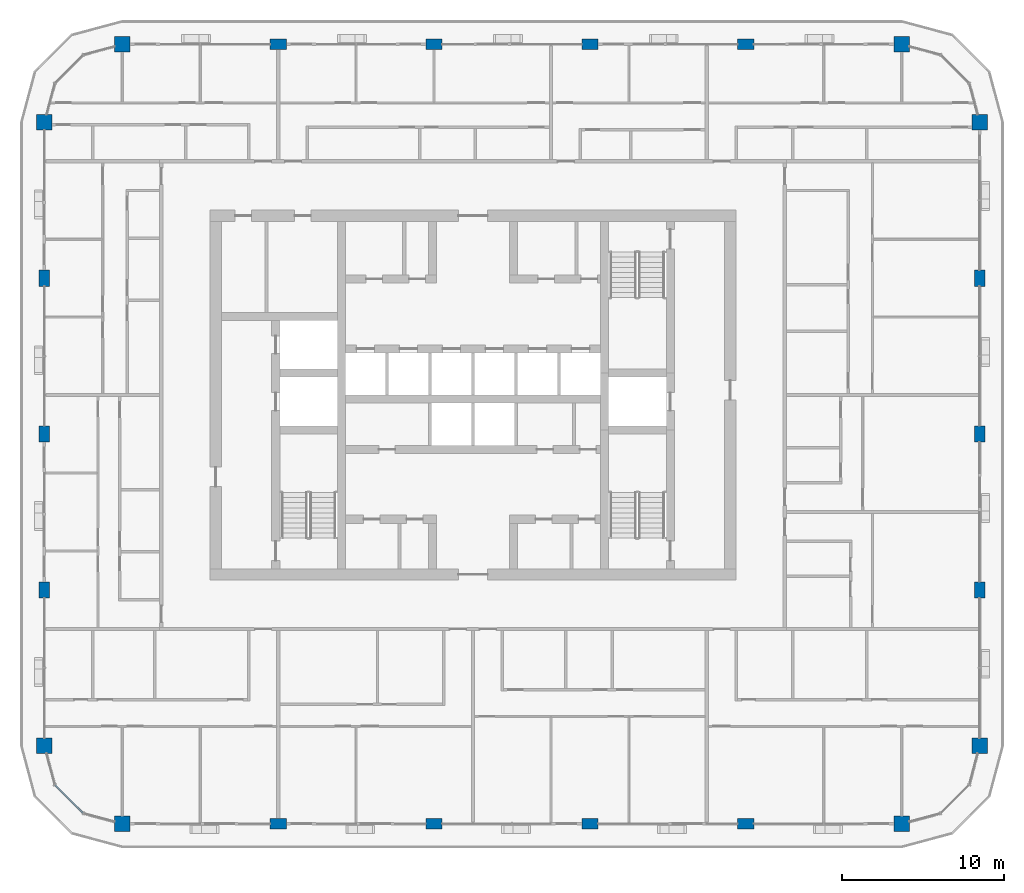
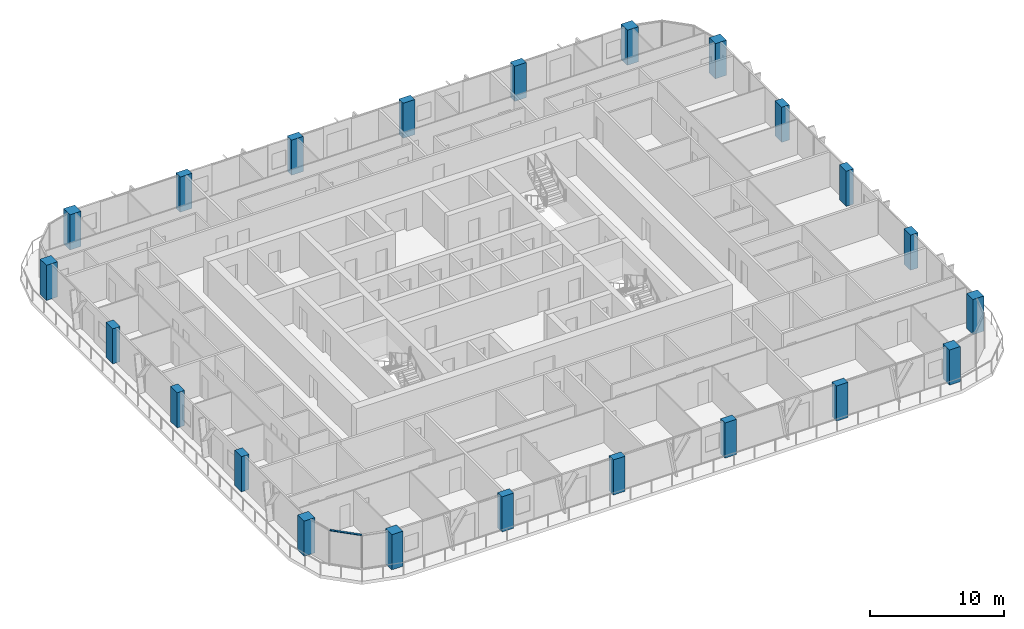
# One storey, part 1 of 22: 22 columns, 1 member, 1 element without a shape of its own.
"""IFC4 building model written with IfcOpenShell, lengths in metres."""

from ifc_helpers import new_model, si_unit, direction, frame, origin, origin_2d, place, context, subcontext, project, spatial, rectangle, extrude, material, layer, layer_set, material_profile, profile_set, type_object, element, aggregate, save


model = new_model("IFC4")

# Units and contexts
model_context = context("Model", 3, precision=1e-05, world=origin(), true_north=direction((0.0, 1.0)))
body_context = subcontext(model_context, "Body", "Model", "MODEL_VIEW")
ifc_project = project(units=[si_unit("LENGTHUNIT", "METRE"), si_unit("AREAUNIT", "SQUARE_METRE"), si_unit("VOLUMEUNIT", "CUBIC_METRE"), si_unit("PLANEANGLEUNIT", "RADIAN"), si_unit("MASSUNIT", "GRAM", prefix="KILO")], contexts=[model_context])

# Site, building, storey
site_placement = place(None, origin())
site = spatial("IfcSite", under=ifc_project, at=site_placement, CompositionType="ELEMENT")
building_placement = place(site_placement, origin())
building = spatial("IfcBuilding", under=site, at=building_placement, Name="Madar Terraces", CompositionType="ELEMENT")
storey_placement = place(building_placement, frame((0.0, 0.0, 192.89990234375)))
storey = spatial("IfcBuildingStorey", under=building, at=storey_placement, Name="L50", CompositionType="ELEMENT", Elevation=192.89990234375)

# Columns
ifc_material_1 = material(Name="Concrete C60/75", Category="concrete")
ifc_material_profile_1 = material_profile(ifc_material_1, rectangle(XDim=1.0, YDim=0.64990234375, at=origin_2d()), Name="CC4 RC 1000x650")
ifc_profile_set_1 = profile_set([ifc_material_profile_1], Name="Concrete C60/75")
column_type_1 = type_object("IfcColumnType", Name="CC4 RC 1000x650", PredefinedType="COLUMN", material=ifc_profile_set_1)
for number, where, z_axis, x_axis, name in (
    (1, (19.199951171875, 0.0, 0.0), (0.0, 0.0, 1.0), (1.0, 0.0, 0.0), "Perimeter column S2"),
    (2, (28.800048828125, 0.0, 0.0), (0.0, 0.0, 1.0), (1.0, 0.0, 0.0), "Perimeter column S3"),
    (3, (38.39990234375, 0.0, 0.0), (0.0, 0.0, 1.0), (1.0, 0.0, 0.0), "Perimeter column S4"),
    (4, (48.0, 0.0, 0.0), (0.0, 0.0, 1.0), (1.0, 0.0, 0.0), "Perimeter column S5"),
    (5, (62.39990234375, 14.39990234375, 0.0), (0.0, 0.0, 1.0), (0.0, 1.0, 0.0), "Perimeter column E2"),
    (6, (62.39990234375, 24.0, 0.0), (0.0, 0.0, 1.0), (0.0, 1.0, 0.0), "Perimeter column E3"),
    (7, (62.39990234375, 33.60009765625, 0.0), (0.0, 0.0, 1.0), (0.0, 1.0, 0.0), "Perimeter column E4"),
    (8, (48.0, 48.0, 0.0), (0.0, 0.0, 1.0), (1.0, 0.0, 0.0), "Perimeter column N2"),
    (9, (38.39990234375, 48.0, 0.0), (0.0, 0.0, 1.0), (1.0, 0.0, 0.0), "Perimeter column N3"),
    (10, (28.800048828125, 48.0, 0.0), (0.0, 0.0, 1.0), (1.0, 0.0, 0.0), "Perimeter column N4"),
    (11, (19.199951171875, 48.0, 0.0), (0.0, 0.0, 1.0), (1.0, 0.0, 0.0), "Perimeter column N5"),
    (12, (4.800048828125, 33.60009765625, 0.0), (0.0, 0.0, 1.0), (0.0, 1.0, 0.0), "Perimeter column W2"),
    (13, (4.800048828125, 24.0, 0.0), (0.0, 0.0, 1.0), (0.0, 1.0, 0.0), "Perimeter column W3"),
    (14, (4.800048828125, 14.39990234375, 0.0), (0.0, 0.0, 1.0), (0.0, 1.0, 0.0), "Perimeter column W4"),
):
    element("IfcColumn", number, at=place(storey_placement, frame(where, z_axis=z_axis, x_axis=x_axis)), inside=storey, type_object=column_type_1, Name=name, PredefinedType="COLUMN", context=body_context, shape_type="SweptSolid", body=[
        extrude(rectangle(XDim=1.0, YDim=0.64990234375, at=origin_2d()), origin(), (0.0, 0.0, 1.0), 3.2001953125),
    ])
ifc_material_2 = material(Name="Concrete C60/75", Category="concrete")
ifc_material_profile_2 = material_profile(ifc_material_2, rectangle(XDim=0.949951171875, YDim=0.949951171875, at=origin_2d()), Name="KC4 RC 950x950")
ifc_profile_set_2 = profile_set([ifc_material_profile_2], Name="Concrete C60/75")
column_type_2 = type_object("IfcColumnType", Name="KC4 RC 950x950", PredefinedType="COLUMN", material=ifc_profile_set_2)
for number, where, z_axis, x_axis, name in (
    (15, (9.60009765625, 0.0, 0.0), (0.0, 0.0, 1.0), (1.0, 0.0, 0.0), "Perimeter column S1"),
    (16, (57.60009765625, 0.0, 0.0), (0.0, 0.0, 1.0), (1.0, 0.0, 0.0), "Perimeter column S6"),
    (17, (62.39990234375, 4.800048828125, 0.0), (0.0, 0.0, 1.0), (1.0, 0.0, 0.0), "Perimeter column E1"),
    (18, (62.39990234375, 43.199951171875, 0.0), (0.0, 0.0, 1.0), (1.0, 0.0, 0.0), "Perimeter column E5"),
    (19, (57.60009765625, 48.0, 0.0), (0.0, 0.0, 1.0), (1.0, 0.0, 0.0), "Perimeter column N1"),
    (20, (9.60009765625, 48.0, 0.0), (0.0, 0.0, 1.0), (1.0, 0.0, 0.0), "Perimeter column N6"),
    (21, (4.800048828125, 43.199951171875, 0.0), (0.0, 0.0, 1.0), (1.0, 0.0, 0.0), "Perimeter column W1"),
    (22, (4.800048828125, 4.800048828125, 0.0), (0.0, 0.0, 1.0), (1.0, 0.0, 0.0), "Perimeter column W5"),
):
    element("IfcColumn", number, at=place(storey_placement, frame(where, z_axis=z_axis, x_axis=x_axis)), inside=storey, type_object=column_type_2, Name=name, PredefinedType="COLUMN", context=body_context, shape_type="SweptSolid", body=[
        extrude(rectangle(XDim=0.949951171875, YDim=0.949951171875, at=origin_2d()), origin(), (0.0, 0.0, 1.0), 3.2001953125),
    ])

# Curtain wall, member
ifc_material_3 = material(Name="Glass, ceramic frit dark grey, with black aluminium frame", Category="aluminium")
ifc_layer = layer(ifc_material_3, 0.199951171875)
ifc_layer_set = layer_set([ifc_layer], Name="Facade curtain wall, fritted glass")
curtain_wall_type = type_object("IfcCurtainWallType", Name="Facade curtain wall, fritted glass", PredefinedType="NOTDEFINED", material=ifc_layer_set)
curtain_wall_placement = place(storey_placement, origin())
curtain_wall = element("IfcCurtainWall", 23, at=curtain_wall_placement, inside=storey, type_object=curtain_wall_type, Name="Outer skin curtain wall south-west corner", PredefinedType="NOTDEFINED")
ifc_material_4 = material(Name="Aluminium, black anodised", Category="aluminium")
ifc_material_profile_3 = material_profile(ifc_material_4, rectangle(XDim=0.1201171875, YDim=0.06005859375, at=origin_2d()), Name="Facade transom 60x120")
ifc_profile_set_3 = profile_set([ifc_material_profile_3], Name="Aluminium, black anodised")
member_type = type_object("IfcMemberType", Name="Facade transom 60x120", PredefinedType="USERDEFINED", material=ifc_profile_set_3)
member_placement = place(storey_placement, frame((5.46435546875, 2.37890625, 3.170166015625), z_axis=(0.707056433593, -0.707157125196, 0.0), x_axis=(0.707157125196, 0.707056433593, 0.0)))
member = element("IfcMember", 24, at=member_placement, type_object=member_type, Name="Transom 2", ObjectType="TRANSOM", PredefinedType="USERDEFINED", context=body_context, shape_type="SweptSolid", body=[
    extrude(rectangle(XDim=0.1201171875, YDim=0.06005859375, at=origin_2d()), origin(), (0.0, 0.0, 1.0), 2.424560546875),
])
aggregate(curtain_wall, [member])

save(model, "model.ifc")
